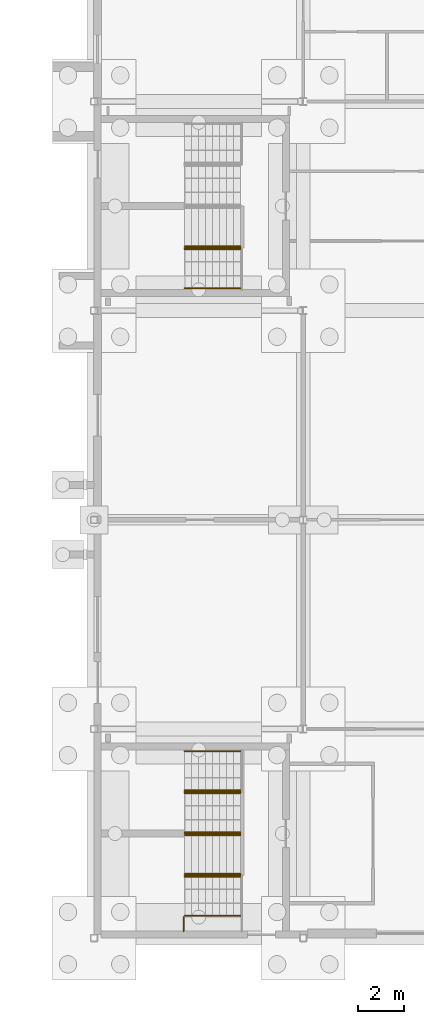
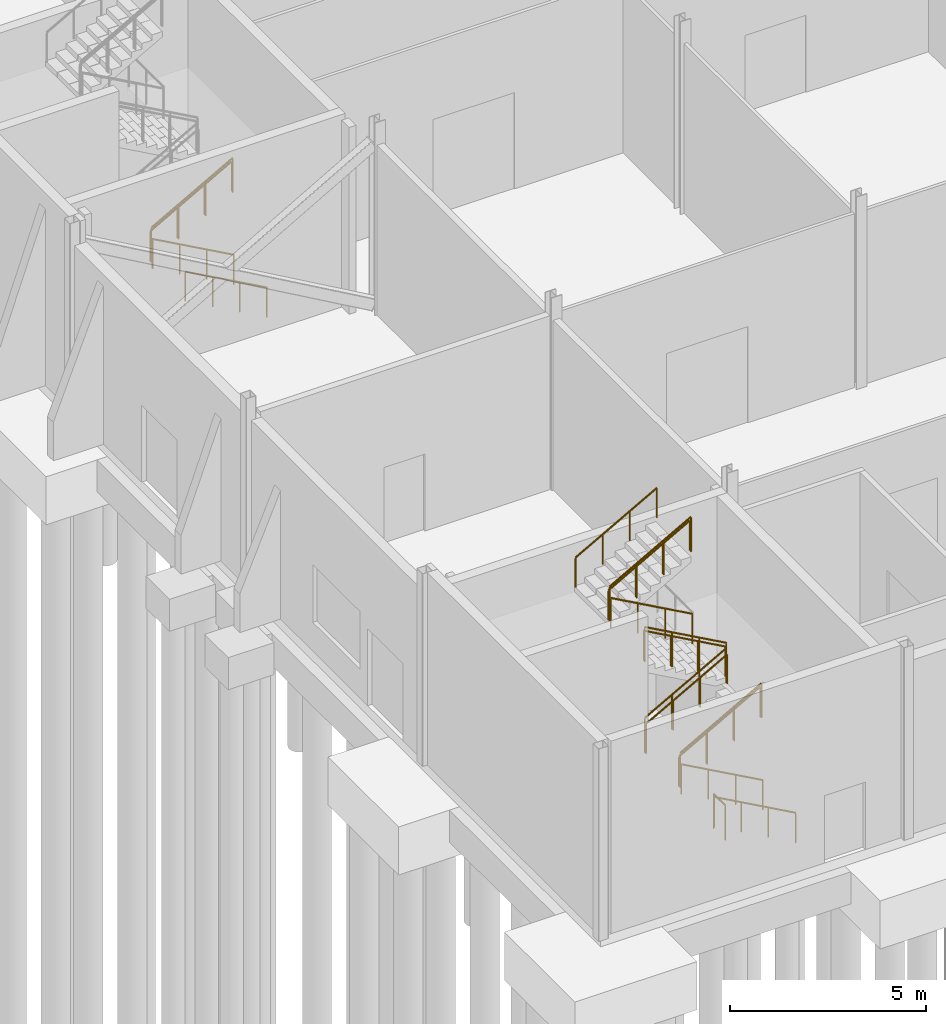
# One storey, part 129 of 139: 17 railings.
"""IFC4 building model written with IfcOpenShell, lengths in metres."""

import ifcopenshell
import ifcopenshell.guid

model = None  # the IFC model being written
_history = None  # IfcOwnerHistory: only IFC2X3 demands one
_inside = {}  # id of a spatial element -> (the spatial element, [elements in it])
_under = {}  # id of a project, library or spatial element -> (it, [spatial elements below it])
_declared = {}  # id of a project -> (the project, [libraries it declares])
_typed = {}  # id of a type object -> (the type object, [elements of that type])
_made_of = {}  # id of a material, layer set ... -> (it, [elements and type objects made of it])


def new_model(schema):
    """Start an empty IFC model of exactly this schema.

    Asked for "IFC4X3", IfcOpenShell would pick the latest addendum, in which some entities
    have other attributes; the version numbers below select the first issue.
    IFC2X3 requires an IfcOwnerHistory on every rooted entity: one is made here for all.
    """
    global model, _history
    if schema == "IFC4X3":
        model = ifcopenshell.file(schema_version=(4, 3, 0, 0))
    else:
        model = ifcopenshell.file(schema=schema)
    _inside.clear()
    _under.clear()
    _declared.clear()
    _typed.clear()
    _made_of.clear()
    _history = None
    if model.schema == "IFC2X3":
        org = make("IfcOrganization", Name="unknown")
        user = make(
            "IfcPersonAndOrganization",
            ThePerson=make("IfcPerson", FamilyName="unknown"),
            TheOrganization=org,
        )
        app = make(
            "IfcApplication",
            ApplicationDeveloper=org,
            Version="unknown",
            ApplicationFullName="unknown",
            ApplicationIdentifier="unknown",
        )
        _history = make(
            "IfcOwnerHistory",
            OwningUser=user,
            OwningApplication=app,
            ChangeAction="ADDED",
            CreationDate=0,
        )
    return model


def make(cls, **values):
    """One entity of the class cls with the attributes given. An attribute that is None is left unset."""
    return model.create_entity(
        cls, **{name: value for name, value in values.items() if value is not None}
    )


def rooted(cls, **values):
    """An entity with a GlobalId (a new one), such as an element, a storey or a relation."""
    return make(cls, GlobalId=ifcopenshell.guid.new(), OwnerHistory=_history, **values)


def si_unit(unit_type, name, prefix=None):
    """IfcSIUnit, for example si_unit("LENGTHUNIT", "METRE", prefix="MILLI")."""
    return make("IfcSIUnit", UnitType=unit_type, Prefix=prefix, Name=name)


def assignment(units):
    """IfcUnitAssignment: the units of a project."""
    return None if units is None else make("IfcUnitAssignment", Units=units)


def point(xyz):
    """IfcCartesianPoint."""
    return None if xyz is None else make("IfcCartesianPoint", Coordinates=xyz)


def direction(xyz):
    """IfcDirection."""
    return None if xyz is None else make("IfcDirection", DirectionRatios=xyz)


def frame(location, z_axis=None, x_axis=None):
    """IfcAxis2Placement3D, a coordinate frame: its origin and axes. An axis left out is left unset."""
    return make(
        "IfcAxis2Placement3D",
        Location=point(location),
        Axis=direction(z_axis),
        RefDirection=direction(x_axis),
    )


def frame_2d(location, x_axis=None):
    """IfcAxis2Placement2D, a coordinate frame in the plane: its origin and x axis."""
    return make(
        "IfcAxis2Placement2D", Location=point(location), RefDirection=direction(x_axis)
    )


def origin():
    """The frame at (0, 0, 0) with its axes left unset."""
    return frame((0.0, 0.0, 0.0))


def origin_2d():
    """The frame at (0, 0) in the plane with its x axis left unset."""
    return frame_2d((0.0, 0.0))


def place(relative_to, where):
    """IfcLocalPlacement: puts the frame where relative to a parent placement (None: the world)."""
    return make(
        "IfcLocalPlacement", PlacementRelTo=relative_to, RelativePlacement=where
    )


def context(
    kind, dimensions, precision=None, world=None, true_north=None, identifier=None
):
    """IfcGeometricRepresentationContext, for example the 3D "Model" context."""
    return make(
        "IfcGeometricRepresentationContext",
        ContextIdentifier=identifier,
        ContextType=kind,
        CoordinateSpaceDimension=dimensions,
        Precision=precision,
        WorldCoordinateSystem=world,
        TrueNorth=true_north,
    )


def subcontext(parent, identifier, kind, view, scale=None):
    """IfcGeometricRepresentationSubContext, for example "Body" below "Model"."""
    return make(
        "IfcGeometricRepresentationSubContext",
        ContextIdentifier=identifier,
        ContextType=kind,
        ParentContext=parent,
        TargetScale=scale,
        TargetView=view,
    )


def project(units=None, contexts=None):
    """IfcProject with its units and contexts."""
    return rooted(
        "IfcProject",
        Name="project",
        RepresentationContexts=contexts,
        UnitsInContext=assignment(units),
    )


def spatial(cls, under=None, at=None, **own):
    """A site, building, storey or space (cls), placed at a placement, below another one or the project."""
    s = rooted(cls, ObjectPlacement=at, **own)
    if under is not None:
        _under.setdefault(under.id(), (under, []))[1].append(s)
    return s


def profile(cls, at=None, kind="AREA", **sizes):
    """A parametric profile (cls). Its sizes go by their IFC names, for example OverallWidth=200.0."""
    return make(cls, ProfileType=kind, Position=at, **sizes)


def circle(**sizes):
    """IfcCircleProfileDef."""
    return profile("IfcCircleProfileDef", **sizes)


def extrude(swept, where, along, depth):
    """IfcExtrudedAreaSolid: the profile swept, set in the frame where, extruded along a direction by depth."""
    return make(
        "IfcExtrudedAreaSolid",
        SweptArea=swept,
        Position=where,
        ExtrudedDirection=direction(along),
        Depth=depth,
    )


def shape(context_of_items, identifier, shape_type, items):
    """IfcShapeRepresentation: the items that make up one representation, for example the "Body"."""
    return make(
        "IfcShapeRepresentation",
        ContextOfItems=context_of_items,
        RepresentationIdentifier=identifier,
        RepresentationType=shape_type,
        Items=items,
    )


def material(Name=None, Category=None):
    """IfcMaterial."""
    return make("IfcMaterial", Name=Name, Category=Category)


def made_of(thing, what):
    """Note that an element or type object is made of a material, layer set ...; save() writes the relation."""
    if what is not None:
        _made_of.setdefault(what.id(), (what, []))[1].append(thing)
    return thing


def type_object(cls, material=None, **own):
    """A type object (cls), such as IfcWallType, which elements share."""
    return made_of(rooted(cls, **own), material)


def element(
    cls,
    number,
    at=None,
    inside=None,
    cuts=None,
    type_object=None,
    material=None,
    context=None,
    identifier="Body",
    shape_type=None,
    held_by="IfcProductDefinitionShape",
    body=None,
    shapes=None,
    **own,
):
    """One element of the class cls, such as IfcWall. Its Tag is "e" and its number.

    at: its placement. inside: the storey or other place that contains it. cuts: it is an
    opening in that element (IfcRelVoidsElement). A single representation is given by context,
    identifier, shape_type and body (its items); several are given by shapes. held_by: the class
    of the entity that holds the representations. save() writes the other relations.
    """
    e = rooted(cls, Tag="e%d" % number, ObjectPlacement=at, **own)
    if body is not None:
        shapes = [shape(context, identifier, shape_type, body)]
    if shapes is not None:
        e.Representation = make(held_by, Representations=shapes)
    if inside is not None:
        _inside.setdefault(inside.id(), (inside, []))[1].append(e)
    if cuts is not None:
        rooted(
            "IfcRelVoidsElement", RelatingBuildingElement=cuts, RelatedOpeningElement=e
        )
    if type_object is not None:
        _typed.setdefault(type_object.id(), (type_object, []))[1].append(e)
    return made_of(e, material)


def aggregate(whole, parts):
    """IfcRelAggregates: a whole, such as a stair, and the parts it consists of."""
    return rooted("IfcRelAggregates", RelatingObject=whole, RelatedObjects=parts)


def save(model, path):
    """Write the relations noted so far, then the file.

    IfcRelAggregates (storeys below a building ...), IfcRelContainedInSpatialStructure (elements
    in a storey), IfcRelDefinesByType, IfcRelAssociatesMaterial and IfcRelDeclares: one each for
    every whole, place, type object, material and project.
    """
    for whole, parts in _under.values():
        aggregate(whole, parts)
    for where, things in _inside.values():
        rooted(
            "IfcRelContainedInSpatialStructure",
            RelatedElements=things,
            RelatingStructure=where,
        )
    for kind, things in _typed.values():
        rooted("IfcRelDefinesByType", RelatedObjects=things, RelatingType=kind)
    for what, things in _made_of.values():
        rooted("IfcRelAssociatesMaterial", RelatedObjects=things, RelatingMaterial=what)
    for by, libraries in _declared.values():
        rooted("IfcRelDeclares", RelatingContext=by, RelatedDefinitions=libraries)
    model.write(path)


model = new_model("IFC4")

# Units and contexts
model_context = context("Model", 3, precision=1e-05, world=origin(), true_north=direction((0.0, 1.0)))
body_context = subcontext(model_context, "Body", "Model", "MODEL_VIEW")
ifc_project = project(units=[si_unit("LENGTHUNIT", "METRE"), si_unit("AREAUNIT", "SQUARE_METRE"), si_unit("VOLUMEUNIT", "CUBIC_METRE"), si_unit("PLANEANGLEUNIT", "RADIAN"), si_unit("MASSUNIT", "GRAM", prefix="KILO")], contexts=[model_context])

# Site, building, storey
site_placement = place(None, origin())
site = spatial("IfcSite", under=ifc_project, at=site_placement, CompositionType="ELEMENT")
building_placement = place(site_placement, origin())
building = spatial("IfcBuilding", under=site, at=building_placement, Name="Shorebreak Coast Museum", CompositionType="ELEMENT")
storey_placement = place(building_placement, origin())
storey = spatial("IfcBuildingStorey", under=building, at=storey_placement, Name="L00", CompositionType="ELEMENT", Elevation=0.0)

# Railings
ifc_material_1 = material(Name="Steel Grade 300", Category="steel")
railing_type_1 = type_object("IfcRailingType", Name="Stair guard 1100", PredefinedType="GUARDRAIL", material=ifc_material_1)
railing_1_placement = place(storey_placement, frame((57.85009765625, 0.300048828125, 1.5)))
element("IfcRailing", 1, at=railing_1_placement, inside=storey, type_object=railing_type_1, Name="Guard ST11 L00 landing strip", PredefinedType="GUARDRAIL", context=body_context, shape_type="SweptSolid", body=[
    extrude(circle(Radius=0.02490234375, at=origin_2d()), frame((0.0, 0.0, 1.0751953125), z_axis=(0.0, 1.0, 0.0), x_axis=(-1.0, 0.0, 0.0)), (0.0, 0.0, 1.0), 0.599853515625),
    extrude(circle(Radius=0.02001953125, at=origin_2d()), origin(), (0.0, 0.0, 1.0), 1.050048828125),
    extrude(circle(Radius=0.02001953125, at=origin_2d()), frame((0.0, 0.599853515625, 0.0)), (0.0, 0.0, 1.0), 1.050048828125),
])
for number, where, name in (
    (2, (57.89990234375, 2.699951171875, 1.666748046875), "Guard ST11-L00 well 1"),
    (3, (57.89990234375, 6.300048828125, 4.666748046875), "Guard ST11-L00 well 2"),
    (4, (57.89990234375, 4.5, 1.666748046875), "Guard ST11-L00 side 1"),
):
    element("IfcRailing", number, at=place(storey_placement, frame(where)), inside=storey, type_object=railing_type_1, Name=name, PredefinedType="GUARDRAIL", context=body_context, shape_type="SweptSolid", body=[
        extrude(circle(Radius=0.02490234375, at=origin_2d()), frame((0.0, 0.0, 1.0751953125), z_axis=(0.874182441271, 0.0, 0.485597631145), x_axis=(0.0, 1.0, 0.0)), (0.0, 0.0, 1.0), 2.74560546875),
        extrude(circle(Radius=0.02001953125, at=origin_2d()), origin(), (0.0, 0.0, 1.0), 1.050048828125),
        extrude(circle(Radius=0.02001953125, at=origin_2d()), frame((0.800048828125, 0.0, 0.4443359375)), (0.0, 0.0, 1.0), 1.050048828125),
        extrude(circle(Radius=0.02001953125, at=origin_2d()), frame((1.60009765625, 0.0, 0.888916015625)), (0.0, 0.0, 1.0), 1.050048828125),
        extrude(circle(Radius=0.02001953125, at=origin_2d()), frame((2.400146484375, 0.0, 1.333251953125)), (0.0, 0.0, 1.0), 1.050048828125),
    ])
railing_2_placement = place(storey_placement, frame((60.300048828125, 4.5, 3.166748046875)))
element("IfcRailing", 5, at=railing_2_placement, inside=storey, type_object=railing_type_1, Name="Guard ST11-L00 side 2", PredefinedType="GUARDRAIL", context=body_context, shape_type="SweptSolid", body=[
    extrude(circle(Radius=0.02490234375, at=origin_2d()), frame((0.0, 0.0, 1.0751953125), z_axis=(-0.874182441271, 0.0, 0.485597631145), x_axis=(0.0, -1.0, 0.0)), (0.0, 0.0, 1.0), 2.74560546875),
    extrude(circle(Radius=0.02001953125, at=origin_2d()), origin(), (0.0, 0.0, 1.0), 1.050048828125),
    extrude(circle(Radius=0.02001953125, at=origin_2d()), frame((-0.800048828125, 0.0, 0.4443359375)), (0.0, 0.0, 1.0), 1.050048828125),
    extrude(circle(Radius=0.02001953125, at=origin_2d()), frame((-1.60009765625, 0.0, 0.888916015625)), (0.0, 0.0, 1.0), 1.050048828125),
    extrude(circle(Radius=0.02001953125, at=origin_2d()), frame((-2.400146484375, 0.0, 1.333251953125)), (0.0, 0.0, 1.0), 1.050048828125),
])
railing_3_placement = place(storey_placement, frame((57.89990234375, 29.699951171875, 1.666748046875)))
element("IfcRailing", 6, at=railing_3_placement, inside=storey, type_object=railing_type_1, Name="Guard ST13-L00 well 1", PredefinedType="GUARDRAIL", context=body_context, shape_type="SweptSolid", body=[
    extrude(circle(Radius=0.02490234375, at=origin_2d()), frame((0.0, 0.0, 1.0751953125), z_axis=(0.874182441271, 0.0, 0.485597631145), x_axis=(0.0, 1.0, 0.0)), (0.0, 0.0, 1.0), 2.74560546875),
    extrude(circle(Radius=0.02001953125, at=origin_2d()), origin(), (0.0, 0.0, 1.0), 1.050048828125),
    extrude(circle(Radius=0.02001953125, at=origin_2d()), frame((0.800048828125, 0.0, 0.4443359375)), (0.0, 0.0, 1.0), 1.050048828125),
    extrude(circle(Radius=0.02001953125, at=origin_2d()), frame((1.60009765625, 0.0, 0.888916015625)), (0.0, 0.0, 1.0), 1.050048828125),
    extrude(circle(Radius=0.02001953125, at=origin_2d()), frame((2.400146484375, 0.0, 1.333251953125)), (0.0, 0.0, 1.0), 1.050048828125),
])
ifc_material_2 = material(Name="Steel Grade 300", Category="steel")
railing_type_2 = type_object("IfcRailingType", Name="Stair handrail 950", PredefinedType="HANDRAIL", material=ifc_material_2)
for number, where, name in (
    (7, (60.300048828125, 0.9599609375, 0.166748046875), "Handrail ST11-L00 flight 1a"),
    (8, (60.300048828125, 2.639892578125, 0.166748046875), "Handrail ST11-L00 flight 1b"),
):
    element("IfcRailing", number, at=place(storey_placement, frame(where)), inside=storey, type_object=railing_type_2, Name=name, PredefinedType="HANDRAIL", context=body_context, shape_type="SweptSolid", body=[
        extrude(circle(Radius=0.02490234375, at=origin_2d()), frame((0.0, 0.0, 0.9248046875), z_axis=(-0.874182441271, 0.0, 0.485597631145), x_axis=(0.0, -1.0, 0.0)), (0.0, 0.0, 1.0), 2.74560546875),
        extrude(circle(Radius=0.02001953125, at=origin_2d()), origin(), (0.0, 0.0, 1.0), 0.89990234375),
        extrude(circle(Radius=0.02001953125, at=origin_2d()), frame((-0.800048828125, 0.0, 0.4443359375)), (0.0, 0.0, 1.0), 0.89990234375),
        extrude(circle(Radius=0.02001953125, at=origin_2d()), frame((-1.60009765625, 0.0, 0.888916015625)), (0.0, 0.0, 1.0), 0.89990234375),
        extrude(circle(Radius=0.02001953125, at=origin_2d()), frame((-2.400146484375, 0.0, 1.333251953125)), (0.0, 0.0, 1.0), 0.89990234375),
    ])
for number, where, name in (
    (9, (57.89990234375, 2.760009765625, 1.666748046875), "Handrail ST11-L00 flight 2a"),
    (10, (57.89990234375, 4.43994140625, 1.666748046875), "Handrail ST11-L00 flight 2b"),
):
    element("IfcRailing", number, at=place(storey_placement, frame(where)), inside=storey, type_object=railing_type_2, Name=name, PredefinedType="HANDRAIL", context=body_context, shape_type="SweptSolid", body=[
        extrude(circle(Radius=0.02490234375, at=origin_2d()), frame((0.0, 0.0, 0.9248046875), z_axis=(0.874182441271, 0.0, 0.485597631145), x_axis=(0.0, 1.0, 0.0)), (0.0, 0.0, 1.0), 2.74560546875),
        extrude(circle(Radius=0.02001953125, at=origin_2d()), origin(), (0.0, 0.0, 1.0), 0.89990234375),
        extrude(circle(Radius=0.02001953125, at=origin_2d()), frame((0.800048828125, 0.0, 0.4443359375)), (0.0, 0.0, 1.0), 0.89990234375),
        extrude(circle(Radius=0.02001953125, at=origin_2d()), frame((1.60009765625, 0.0, 0.888916015625)), (0.0, 0.0, 1.0), 0.89990234375),
        extrude(circle(Radius=0.02001953125, at=origin_2d()), frame((2.400146484375, 0.0, 1.333251953125)), (0.0, 0.0, 1.0), 0.89990234375),
    ])
for number, where, name in (
    (11, (60.300048828125, 4.56005859375, 3.166748046875), "Handrail ST11-L00 flight 3a"),
    (12, (60.300048828125, 6.239990234375, 3.166748046875), "Handrail ST11-L00 flight 3b"),
):
    element("IfcRailing", number, at=place(storey_placement, frame(where)), inside=storey, type_object=railing_type_2, Name=name, PredefinedType="HANDRAIL", context=body_context, shape_type="SweptSolid", body=[
        extrude(circle(Radius=0.02490234375, at=origin_2d()), frame((0.0, 0.0, 0.9248046875), z_axis=(-0.874182441271, 0.0, 0.485597631145), x_axis=(0.0, -1.0, 0.0)), (0.0, 0.0, 1.0), 2.74560546875),
        extrude(circle(Radius=0.02001953125, at=origin_2d()), origin(), (0.0, 0.0, 1.0), 0.89990234375),
        extrude(circle(Radius=0.02001953125, at=origin_2d()), frame((-0.800048828125, 0.0, 0.4443359375)), (0.0, 0.0, 1.0), 0.89990234375),
        extrude(circle(Radius=0.02001953125, at=origin_2d()), frame((-1.60009765625, 0.0, 0.888916015625)), (0.0, 0.0, 1.0), 0.89990234375),
        extrude(circle(Radius=0.02001953125, at=origin_2d()), frame((-2.400146484375, 0.0, 1.333251953125)), (0.0, 0.0, 1.0), 0.89990234375),
    ])
for number, where, name in (
    (13, (57.89990234375, 6.360107421875, 4.666748046875), "Handrail ST11-L00 flight 4a"),
    (14, (57.89990234375, 8.0400390625, 4.666748046875), "Handrail ST11-L00 flight 4b"),
):
    element("IfcRailing", number, at=place(storey_placement, frame(where)), inside=storey, type_object=railing_type_2, Name=name, PredefinedType="HANDRAIL", context=body_context, shape_type="SweptSolid", body=[
        extrude(circle(Radius=0.02490234375, at=origin_2d()), frame((0.0, 0.0, 0.9248046875), z_axis=(0.874182441271, 0.0, 0.485597631145), x_axis=(0.0, 1.0, 0.0)), (0.0, 0.0, 1.0), 2.74560546875),
        extrude(circle(Radius=0.02001953125, at=origin_2d()), origin(), (0.0, 0.0, 1.0), 0.89990234375),
        extrude(circle(Radius=0.02001953125, at=origin_2d()), frame((0.800048828125, 0.0, 0.4443359375)), (0.0, 0.0, 1.0), 0.89990234375),
        extrude(circle(Radius=0.02001953125, at=origin_2d()), frame((1.60009765625, 0.0, 0.888916015625)), (0.0, 0.0, 1.0), 0.89990234375),
        extrude(circle(Radius=0.02001953125, at=origin_2d()), frame((2.400146484375, 0.0, 1.333251953125)), (0.0, 0.0, 1.0), 0.89990234375),
    ])
for number, where, name in (
    (15, (60.300048828125, 27.9599609375, 0.166748046875), "Handrail ST13-L00 flight 1a"),
    (16, (60.300048828125, 29.639892578125, 0.166748046875), "Handrail ST13-L00 flight 1b"),
):
    element("IfcRailing", number, at=place(storey_placement, frame(where)), inside=storey, type_object=railing_type_2, Name=name, PredefinedType="HANDRAIL", context=body_context, shape_type="SweptSolid", body=[
        extrude(circle(Radius=0.02490234375, at=origin_2d()), frame((0.0, 0.0, 0.9248046875), z_axis=(-0.874182441271, 0.0, 0.485597631145), x_axis=(0.0, -1.0, 0.0)), (0.0, 0.0, 1.0), 2.74560546875),
        extrude(circle(Radius=0.02001953125, at=origin_2d()), origin(), (0.0, 0.0, 1.0), 0.89990234375),
        extrude(circle(Radius=0.02001953125, at=origin_2d()), frame((-0.800048828125, 0.0, 0.4443359375)), (0.0, 0.0, 1.0), 0.89990234375),
        extrude(circle(Radius=0.02001953125, at=origin_2d()), frame((-1.60009765625, 0.0, 0.888916015625)), (0.0, 0.0, 1.0), 0.89990234375),
        extrude(circle(Radius=0.02001953125, at=origin_2d()), frame((-2.400146484375, 0.0, 1.333251953125)), (0.0, 0.0, 1.0), 0.89990234375),
    ])
railing_4_placement = place(storey_placement, frame((57.89990234375, 29.760009765625, 1.666748046875)))
element("IfcRailing", 17, at=railing_4_placement, inside=storey, type_object=railing_type_2, Name="Handrail ST13-L00 flight 2a", PredefinedType="HANDRAIL", context=body_context, shape_type="SweptSolid", body=[
    extrude(circle(Radius=0.02490234375, at=origin_2d()), frame((0.0, 0.0, 0.9248046875), z_axis=(0.874182441271, 0.0, 0.485597631145), x_axis=(0.0, 1.0, 0.0)), (0.0, 0.0, 1.0), 2.74560546875),
    extrude(circle(Radius=0.02001953125, at=origin_2d()), origin(), (0.0, 0.0, 1.0), 0.89990234375),
    extrude(circle(Radius=0.02001953125, at=origin_2d()), frame((0.800048828125, 0.0, 0.4443359375)), (0.0, 0.0, 1.0), 0.89990234375),
    extrude(circle(Radius=0.02001953125, at=origin_2d()), frame((1.60009765625, 0.0, 0.888916015625)), (0.0, 0.0, 1.0), 0.89990234375),
    extrude(circle(Radius=0.02001953125, at=origin_2d()), frame((2.400146484375, 0.0, 1.333251953125)), (0.0, 0.0, 1.0), 0.89990234375),
])

save(model, "model.ifc")
